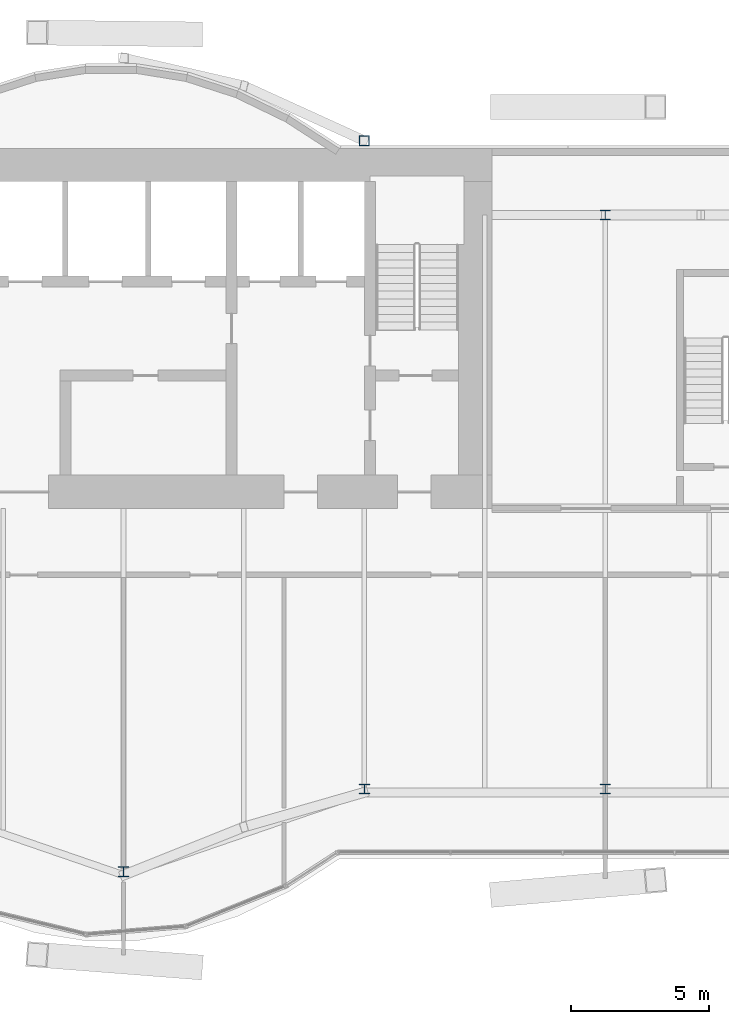
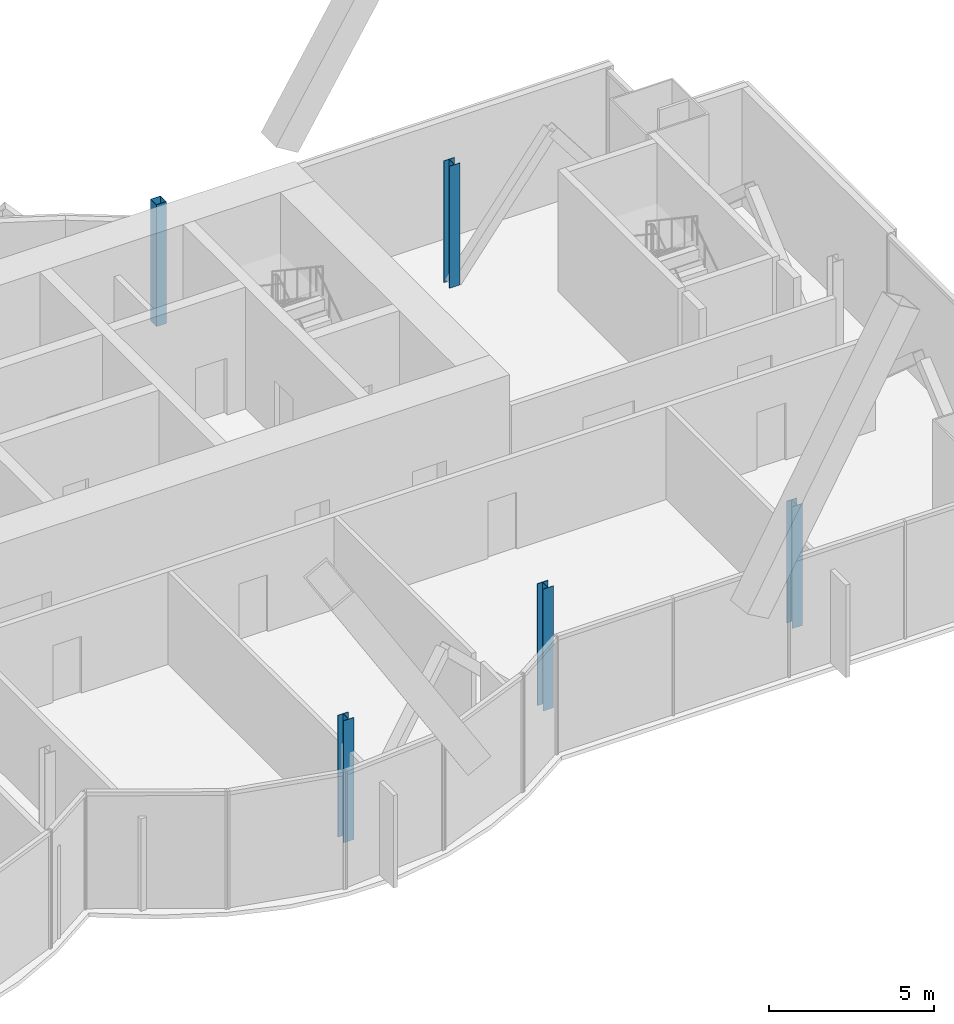
# One storey, part 2 of 19: 5 columns.
"""IFC4 building model written with IfcOpenShell, lengths in metres."""

import ifcopenshell
import ifcopenshell.guid

model = None  # the IFC model being written
_history = None  # IfcOwnerHistory: only IFC2X3 demands one
_inside = {}  # id of a spatial element -> (the spatial element, [elements in it])
_under = {}  # id of a project, library or spatial element -> (it, [spatial elements below it])
_declared = {}  # id of a project -> (the project, [libraries it declares])
_typed = {}  # id of a type object -> (the type object, [elements of that type])
_made_of = {}  # id of a material, layer set ... -> (it, [elements and type objects made of it])


def new_model(schema):
    """Start an empty IFC model of exactly this schema.

    Asked for "IFC4X3", IfcOpenShell would pick the latest addendum, in which some entities
    have other attributes; the version numbers below select the first issue.
    IFC2X3 requires an IfcOwnerHistory on every rooted entity: one is made here for all.
    """
    global model, _history
    if schema == "IFC4X3":
        model = ifcopenshell.file(schema_version=(4, 3, 0, 0))
    else:
        model = ifcopenshell.file(schema=schema)
    _inside.clear()
    _under.clear()
    _declared.clear()
    _typed.clear()
    _made_of.clear()
    _history = None
    if model.schema == "IFC2X3":
        org = make("IfcOrganization", Name="unknown")
        user = make(
            "IfcPersonAndOrganization",
            ThePerson=make("IfcPerson", FamilyName="unknown"),
            TheOrganization=org,
        )
        app = make(
            "IfcApplication",
            ApplicationDeveloper=org,
            Version="unknown",
            ApplicationFullName="unknown",
            ApplicationIdentifier="unknown",
        )
        _history = make(
            "IfcOwnerHistory",
            OwningUser=user,
            OwningApplication=app,
            ChangeAction="ADDED",
            CreationDate=0,
        )
    return model


def make(cls, **values):
    """One entity of the class cls with the attributes given. An attribute that is None is left unset."""
    return model.create_entity(
        cls, **{name: value for name, value in values.items() if value is not None}
    )


def rooted(cls, **values):
    """An entity with a GlobalId (a new one), such as an element, a storey or a relation."""
    return make(cls, GlobalId=ifcopenshell.guid.new(), OwnerHistory=_history, **values)


def si_unit(unit_type, name, prefix=None):
    """IfcSIUnit, for example si_unit("LENGTHUNIT", "METRE", prefix="MILLI")."""
    return make("IfcSIUnit", UnitType=unit_type, Prefix=prefix, Name=name)


def assignment(units):
    """IfcUnitAssignment: the units of a project."""
    return None if units is None else make("IfcUnitAssignment", Units=units)


def point(xyz):
    """IfcCartesianPoint."""
    return None if xyz is None else make("IfcCartesianPoint", Coordinates=xyz)


def direction(xyz):
    """IfcDirection."""
    return None if xyz is None else make("IfcDirection", DirectionRatios=xyz)


def frame(location, z_axis=None, x_axis=None):
    """IfcAxis2Placement3D, a coordinate frame: its origin and axes. An axis left out is left unset."""
    return make(
        "IfcAxis2Placement3D",
        Location=point(location),
        Axis=direction(z_axis),
        RefDirection=direction(x_axis),
    )


def frame_2d(location, x_axis=None):
    """IfcAxis2Placement2D, a coordinate frame in the plane: its origin and x axis."""
    return make(
        "IfcAxis2Placement2D", Location=point(location), RefDirection=direction(x_axis)
    )


def origin():
    """The frame at (0, 0, 0) with its axes left unset."""
    return frame((0.0, 0.0, 0.0))


def origin_2d():
    """The frame at (0, 0) in the plane with its x axis left unset."""
    return frame_2d((0.0, 0.0))


def place(relative_to, where):
    """IfcLocalPlacement: puts the frame where relative to a parent placement (None: the world)."""
    return make(
        "IfcLocalPlacement", PlacementRelTo=relative_to, RelativePlacement=where
    )


def context(
    kind, dimensions, precision=None, world=None, true_north=None, identifier=None
):
    """IfcGeometricRepresentationContext, for example the 3D "Model" context."""
    return make(
        "IfcGeometricRepresentationContext",
        ContextIdentifier=identifier,
        ContextType=kind,
        CoordinateSpaceDimension=dimensions,
        Precision=precision,
        WorldCoordinateSystem=world,
        TrueNorth=true_north,
    )


def subcontext(parent, identifier, kind, view, scale=None):
    """IfcGeometricRepresentationSubContext, for example "Body" below "Model"."""
    return make(
        "IfcGeometricRepresentationSubContext",
        ContextIdentifier=identifier,
        ContextType=kind,
        ParentContext=parent,
        TargetScale=scale,
        TargetView=view,
    )


def project(units=None, contexts=None):
    """IfcProject with its units and contexts."""
    return rooted(
        "IfcProject",
        Name="project",
        RepresentationContexts=contexts,
        UnitsInContext=assignment(units),
    )


def spatial(cls, under=None, at=None, **own):
    """A site, building, storey or space (cls), placed at a placement, below another one or the project."""
    s = rooted(cls, ObjectPlacement=at, **own)
    if under is not None:
        _under.setdefault(under.id(), (under, []))[1].append(s)
    return s


def profile(cls, at=None, kind="AREA", **sizes):
    """A parametric profile (cls). Its sizes go by their IFC names, for example OverallWidth=200.0."""
    return make(cls, ProfileType=kind, Position=at, **sizes)


def hollow_rectangle(**sizes):
    """IfcRectangleHollowProfileDef."""
    return profile("IfcRectangleHollowProfileDef", **sizes)


def i_section(**sizes):
    """IfcIShapeProfileDef."""
    return profile("IfcIShapeProfileDef", **sizes)


def extrude(swept, where, along, depth):
    """IfcExtrudedAreaSolid: the profile swept, set in the frame where, extruded along a direction by depth."""
    return make(
        "IfcExtrudedAreaSolid",
        SweptArea=swept,
        Position=where,
        ExtrudedDirection=direction(along),
        Depth=depth,
    )


def shape(context_of_items, identifier, shape_type, items):
    """IfcShapeRepresentation: the items that make up one representation, for example the "Body"."""
    return make(
        "IfcShapeRepresentation",
        ContextOfItems=context_of_items,
        RepresentationIdentifier=identifier,
        RepresentationType=shape_type,
        Items=items,
    )


def material(Name=None, Category=None):
    """IfcMaterial."""
    return make("IfcMaterial", Name=Name, Category=Category)


def material_profile(
    of_material, cross_section, Name=None, Category=None, Priority=None
):
    """IfcMaterialProfile: a cross section and its material."""
    return make(
        "IfcMaterialProfile",
        Name=Name,
        Material=of_material,
        Profile=cross_section,
        Priority=Priority,
        Category=Category,
    )


def profile_set(profiles, Name=None, composite=None):
    """IfcMaterialProfileSet."""
    return make(
        "IfcMaterialProfileSet",
        Name=Name,
        MaterialProfiles=profiles,
        CompositeProfile=composite,
    )


def made_of(thing, what):
    """Note that an element or type object is made of a material, layer set ...; save() writes the relation."""
    if what is not None:
        _made_of.setdefault(what.id(), (what, []))[1].append(thing)
    return thing


def type_object(cls, material=None, **own):
    """A type object (cls), such as IfcWallType, which elements share."""
    return made_of(rooted(cls, **own), material)


def element(
    cls,
    number,
    at=None,
    inside=None,
    cuts=None,
    type_object=None,
    material=None,
    context=None,
    identifier="Body",
    shape_type=None,
    held_by="IfcProductDefinitionShape",
    body=None,
    shapes=None,
    **own,
):
    """One element of the class cls, such as IfcWall. Its Tag is "e" and its number.

    at: its placement. inside: the storey or other place that contains it. cuts: it is an
    opening in that element (IfcRelVoidsElement). A single representation is given by context,
    identifier, shape_type and body (its items); several are given by shapes. held_by: the class
    of the entity that holds the representations. save() writes the other relations.
    """
    e = rooted(cls, Tag="e%d" % number, ObjectPlacement=at, **own)
    if body is not None:
        shapes = [shape(context, identifier, shape_type, body)]
    if shapes is not None:
        e.Representation = make(held_by, Representations=shapes)
    if inside is not None:
        _inside.setdefault(inside.id(), (inside, []))[1].append(e)
    if cuts is not None:
        rooted(
            "IfcRelVoidsElement", RelatingBuildingElement=cuts, RelatedOpeningElement=e
        )
    if type_object is not None:
        _typed.setdefault(type_object.id(), (type_object, []))[1].append(e)
    return made_of(e, material)


def aggregate(whole, parts):
    """IfcRelAggregates: a whole, such as a stair, and the parts it consists of."""
    return rooted("IfcRelAggregates", RelatingObject=whole, RelatedObjects=parts)


def save(model, path):
    """Write the relations noted so far, then the file.

    IfcRelAggregates (storeys below a building ...), IfcRelContainedInSpatialStructure (elements
    in a storey), IfcRelDefinesByType, IfcRelAssociatesMaterial and IfcRelDeclares: one each for
    every whole, place, type object, material and project.
    """
    for whole, parts in _under.values():
        aggregate(whole, parts)
    for where, things in _inside.values():
        rooted(
            "IfcRelContainedInSpatialStructure",
            RelatedElements=things,
            RelatingStructure=where,
        )
    for kind, things in _typed.values():
        rooted("IfcRelDefinesByType", RelatedObjects=things, RelatingType=kind)
    for what, things in _made_of.values():
        rooted("IfcRelAssociatesMaterial", RelatedObjects=things, RelatingMaterial=what)
    for by, libraries in _declared.values():
        rooted("IfcRelDeclares", RelatingContext=by, RelatedDefinitions=libraries)
    model.write(path)


model = new_model("IFC4")

# Units and contexts
model_context = context("Model", 3, precision=1e-05, world=origin(), true_north=direction((0.0, 1.0)))
body_context = subcontext(model_context, "Body", "Model", "MODEL_VIEW")
ifc_project = project(units=[si_unit("LENGTHUNIT", "METRE"), si_unit("AREAUNIT", "SQUARE_METRE"), si_unit("VOLUMEUNIT", "CUBIC_METRE"), si_unit("PLANEANGLEUNIT", "RADIAN"), si_unit("MASSUNIT", "GRAM", prefix="KILO")], contexts=[model_context])

# Site, building, storey
site_placement = place(None, origin())
site = spatial("IfcSite", under=ifc_project, at=site_placement, CompositionType="ELEMENT")
building_placement = place(site_placement, origin())
building = spatial("IfcBuilding", under=site, at=building_placement, Name="Bicima Exchange Tower", CompositionType="ELEMENT")
storey_placement = place(building_placement, frame((0.0, 0.0, 324.5)))
storey = spatial("IfcBuildingStorey", under=building, at=storey_placement, Name="L73", CompositionType="ELEMENT", Elevation=324.5)

# Columns
ifc_material_1 = material(Name="Steel ASTM A992 Gr 50", Category="steel")
ifc_material_profile_1 = material_profile(ifc_material_1, i_section(OverallWidth=0.368408203125, OverallDepth=0.355712890625, WebThickness=0.01123046875, FlangeThickness=0.01806640625, at=origin_2d()))
ifc_profile_set_1 = profile_set([ifc_material_profile_1], Name="Steel ASTM A992 Gr 50")
column_type_1 = type_object("IfcColumnType", Name="Perimeter column W14x90", PredefinedType="COLUMN", material=ifc_profile_set_1)
for number, where, z_axis, x_axis, name in (
    (1, (8.699951171875, -26.12109375, 0.0), (0.0, 0.0, 1.0), (1.0, 0.0, 0.0), "Perimeter column grav+8.7f"),
    (2, (17.39990234375, -23.1298828125, 0.0), (0.0, 0.0, 1.0), (1.0, 0.0, 0.0), "Perimeter column grav+17.4f"),
    (3, (26.10009765625, -23.1298828125, 0.0), (0.0, 0.0, 1.0), (1.0, 0.0, 0.0), "Perimeter column grav+26.1f"),
    (4, (26.10009765625, -2.39990234375, 0.0), (0.0, 0.0, 1.0), (1.0, 0.0, 0.0), "Perimeter column grav+26.1r"),
):
    element("IfcColumn", number, at=place(storey_placement, frame(where, z_axis=z_axis, x_axis=x_axis)), inside=storey, type_object=column_type_1, Name=name, PredefinedType="COLUMN", context=body_context, shape_type="SweptSolid", body=[
        extrude(i_section(OverallWidth=0.368408203125, OverallDepth=0.355712890625, WebThickness=0.01123046875, FlangeThickness=0.01806640625, at=origin_2d()), origin(), (0.0, 0.0, 1.0), 4.5),
    ])
ifc_material_2 = material(Name="Steel ASTM A572 Gr 50", Category="steel")
ifc_material_profile_2 = material_profile(ifc_material_2, hollow_rectangle(XDim=0.355712890625, YDim=0.355712890625, WallThickness=0.01171875, at=origin_2d()))
ifc_profile_set_2 = profile_set([ifc_material_profile_2], Name="Steel ASTM A572 Gr 50")
column_type_2 = type_object("IfcColumnType", Name="Rear pilaster HSS14x14x1/2", PredefinedType="COLUMN", material=ifc_profile_set_2)
column_placement = place(storey_placement, frame((17.39990234375, 0.278076171875, 0.0), z_axis=(0.0, 0.0, 1.0), x_axis=(1.0, 0.0, 0.0)))
element("IfcColumn", 5, at=column_placement, inside=storey, type_object=column_type_2, Name="Rear pilaster rexo+17.4r", PredefinedType="COLUMN", context=body_context, shape_type="SweptSolid", body=[
    extrude(hollow_rectangle(XDim=0.355712890625, YDim=0.355712890625, WallThickness=0.01171875, at=origin_2d()), origin(), (0.0, 0.0, 1.0), 4.5),
])

save(model, "model.ifc")
